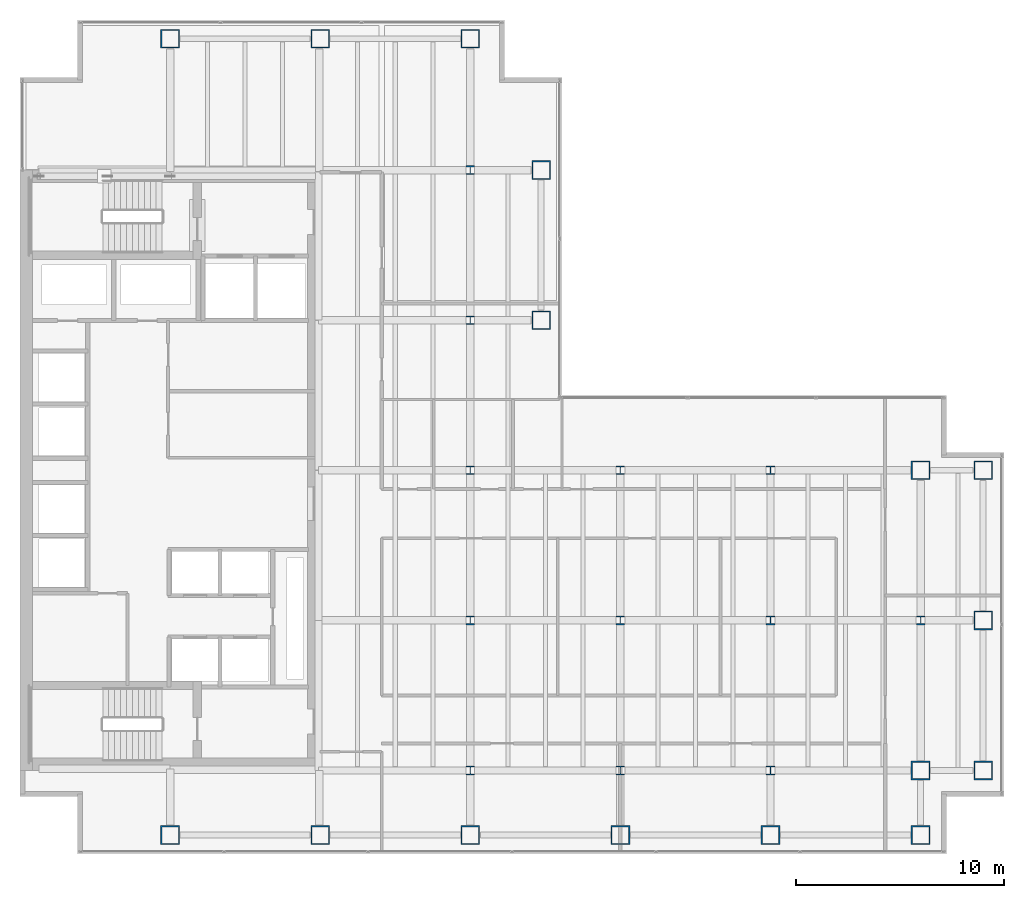
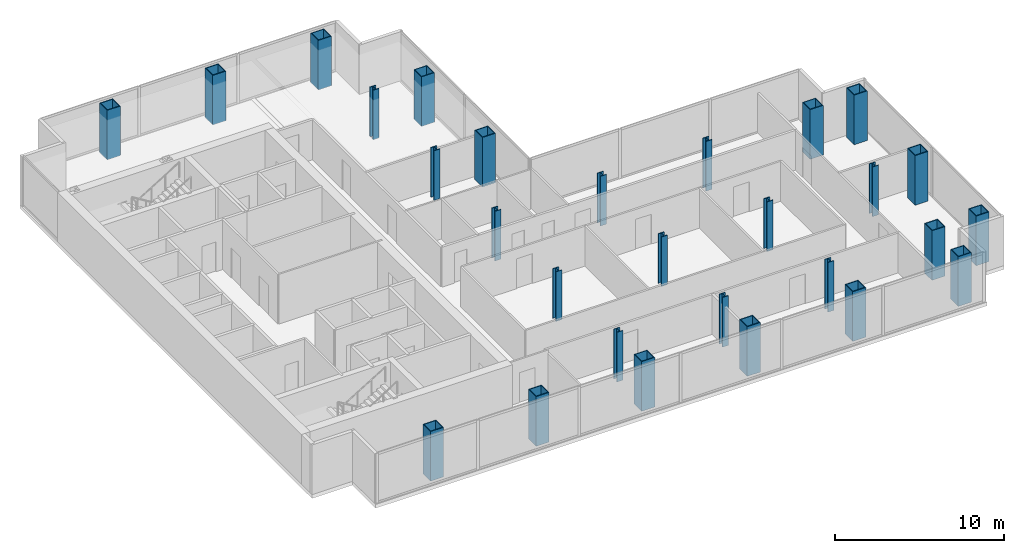
# One storey, part 1 of 23: 28 columns.
"""IFC4 building model written with IfcOpenShell, lengths in metres."""

from ifc_helpers import new_model, si_unit, direction, frame, origin, origin_2d, place, context, subcontext, project, spatial, hollow_rectangle, i_section, extrude, material, material_profile, profile_set, type_object, element, save


model = new_model("IFC4")

# Units and contexts
model_context = context("Model", 3, precision=1e-05, world=origin(), true_north=direction((0.0, 1.0)))
body_context = subcontext(model_context, "Body", "Model", "MODEL_VIEW")
ifc_project = project(units=[si_unit("LENGTHUNIT", "METRE"), si_unit("AREAUNIT", "SQUARE_METRE"), si_unit("VOLUMEUNIT", "CUBIC_METRE"), si_unit("PLANEANGLEUNIT", "RADIAN"), si_unit("MASSUNIT", "GRAM", prefix="KILO")], contexts=[model_context])

# Site, building, storey
site_placement = place(None, origin())
site = spatial("IfcSite", under=ifc_project, at=site_placement, CompositionType="ELEMENT")
building_placement = place(site_placement, origin())
building = spatial("IfcBuilding", under=site, at=building_placement, Name="Cobrela Telecom Tower", CompositionType="ELEMENT")
storey_placement = place(building_placement, frame((0.0, 0.0, 117.60009765625)))
storey = spatial("IfcBuildingStorey", under=building, at=storey_placement, Name="L29", CompositionType="ELEMENT", Elevation=117.60009765625)

# Columns
ifc_material_1 = material(Name="Steel ASTM A992 Grade 50", Category="steel")
ifc_material_profile_1 = material_profile(ifc_material_1, i_section(OverallWidth=0.408935546875, OverallDepth=0.424072265625, WebThickness=0.03271484375, FlangeThickness=0.052490234375, FilletRadius=0.01806640625, at=origin_2d()), Name="W14X283")
ifc_profile_set_1 = profile_set([ifc_material_profile_1], Name="Steel ASTM A992 Grade 50")
column_type_1 = type_object("IfcColumnType", Name="COL-INT-05", PredefinedType="COLUMN", material=ifc_profile_set_1)
for number, where, z_axis, x_axis, name in (
    (1, (21.60009765625, 7.199951171875, 0.0), (0.0, 0.0, 1.0), (1.0, 0.0, 0.0), "L29 Interior Column 06"),
    (2, (21.60009765625, 14.39990234375, 0.0), (0.0, 0.0, 1.0), (1.0, 0.0, 0.0), "L29 Interior Column 07"),
    (3, (21.60009765625, 21.60009765625, 0.0), (0.0, 0.0, 1.0), (1.0, 0.0, 0.0), "L29 Interior Column 08"),
    (4, (21.60009765625, 28.800048828125, 0.0), (0.0, 0.0, 1.0), (1.0, 0.0, 0.0), "L29 Interior Column 09"),
    (5, (21.60009765625, 36.0, 0.0), (0.0, 0.0, 1.0), (1.0, 0.0, 0.0), "L29 Interior Column 10"),
    (6, (28.800048828125, 7.199951171875, 0.0), (0.0, 0.0, 1.0), (1.0, 0.0, 0.0), "L29 Interior Column 15"),
    (7, (28.800048828125, 14.39990234375, 0.0), (0.0, 0.0, 1.0), (1.0, 0.0, 0.0), "L29 Interior Column 16"),
    (8, (28.800048828125, 21.60009765625, 0.0), (0.0, 0.0, 1.0), (1.0, 0.0, 0.0), "L29 Interior Column 17"),
    (9, (36.0, 7.199951171875, 0.0), (0.0, 0.0, 1.0), (1.0, 0.0, 0.0), "L29 Interior Column 19"),
    (10, (36.0, 14.39990234375, 0.0), (0.0, 0.0, 1.0), (1.0, 0.0, 0.0), "L29 Interior Column 20"),
    (11, (36.0, 21.60009765625, 0.0), (0.0, 0.0, 1.0), (1.0, 0.0, 0.0), "L29 Interior Column 21"),
    (12, (43.199951171875, 14.39990234375, 0.0), (0.0, 0.0, 1.0), (1.0, 0.0, 0.0), "L29 Interior Column 24"),
):
    element("IfcColumn", number, at=place(storey_placement, frame(where, z_axis=z_axis, x_axis=x_axis)), inside=storey, type_object=column_type_1, Name=name, PredefinedType="COLUMN", context=body_context, shape_type="SweptSolid", body=[
        extrude(i_section(OverallWidth=0.408935546875, OverallDepth=0.424072265625, WebThickness=0.03271484375, FlangeThickness=0.052490234375, FilletRadius=0.01806640625, at=origin_2d()), origin(), (0.0, 0.0, 1.0), 3.579833984375),
    ])
ifc_material_2 = material(Name="Steel ASTM A572 Grade 50", Category="steel")
ifc_material_profile_2 = material_profile(ifc_material_2, hollow_rectangle(XDim=0.89990234375, YDim=0.89990234375, WallThickness=0.054931640625, at=origin_2d()), Name="BOX 900x900x55")
ifc_profile_set_2 = profile_set([ifc_material_profile_2], Name="Steel ASTM A572 Grade 50")
column_type_2 = type_object("IfcColumnType", Name="COL-MEGA-05", PredefinedType="COLUMN", material=ifc_profile_set_2)
for number, where, z_axis, x_axis, name in (
    (13, (7.199951171875, 4.10009765625, 0.0), (0.0, 0.0, 1.0), (1.0, 0.0, 0.0), "L29 Perimeter Mega-Column 01"),
    (14, (7.199951171875, 42.300048828125, 0.0), (0.0, 0.0, 1.0), (1.0, 0.0, 0.0), "L29 Perimeter Mega-Column 02"),
    (15, (14.39990234375, 4.10009765625, 0.0), (0.0, 0.0, 1.0), (1.0, 0.0, 0.0), "L29 Perimeter Mega-Column 03"),
    (16, (14.39990234375, 42.300048828125, 0.0), (0.0, 0.0, 1.0), (1.0, 0.0, 0.0), "L29 Perimeter Mega-Column 04"),
    (17, (21.60009765625, 4.10009765625, 0.0), (0.0, 0.0, 1.0), (1.0, 0.0, 0.0), "L29 Perimeter Mega-Column 05"),
    (18, (21.60009765625, 42.300048828125, 0.0), (0.0, 0.0, 1.0), (1.0, 0.0, 0.0), "L29 Perimeter Mega-Column 11"),
    (19, (25.0, 28.800048828125, 0.0), (0.0, 0.0, 1.0), (1.0, 0.0, 0.0), "L29 Perimeter Mega-Column 12"),
    (20, (25.0, 36.0, 0.0), (0.0, 0.0, 1.0), (1.0, 0.0, 0.0), "L29 Perimeter Mega-Column 13"),
    (21, (28.800048828125, 4.10009765625, 0.0), (0.0, 0.0, 1.0), (1.0, 0.0, 0.0), "L29 Perimeter Mega-Column 14"),
    (22, (36.0, 4.10009765625, 0.0), (0.0, 0.0, 1.0), (1.0, 0.0, 0.0), "L29 Perimeter Mega-Column 18"),
    (23, (43.199951171875, 4.10009765625, 0.0), (0.0, 0.0, 1.0), (1.0, 0.0, 0.0), "L29 Perimeter Mega-Column 22"),
    (24, (43.199951171875, 7.199951171875, 0.0), (0.0, 0.0, 1.0), (1.0, 0.0, 0.0), "L29 Perimeter Mega-Column 23"),
    (25, (43.199951171875, 21.60009765625, 0.0), (0.0, 0.0, 1.0), (1.0, 0.0, 0.0), "L29 Perimeter Mega-Column 25"),
    (26, (46.199951171875, 7.199951171875, 0.0), (0.0, 0.0, 1.0), (1.0, 0.0, 0.0), "L29 Perimeter Mega-Column 26"),
    (27, (46.199951171875, 14.39990234375, 0.0), (0.0, 0.0, 1.0), (1.0, 0.0, 0.0), "L29 Perimeter Mega-Column 27"),
    (28, (46.199951171875, 21.60009765625, 0.0), (0.0, 0.0, 1.0), (1.0, 0.0, 0.0), "L29 Perimeter Mega-Column 28"),
):
    element("IfcColumn", number, at=place(storey_placement, frame(where, z_axis=z_axis, x_axis=x_axis)), inside=storey, type_object=column_type_2, Name=name, PredefinedType="COLUMN", context=body_context, shape_type="SweptSolid", body=[
        extrude(hollow_rectangle(XDim=0.89990234375, YDim=0.89990234375, WallThickness=0.054931640625, at=origin_2d()), origin(), (0.0, 0.0, 1.0), 3.579833984375),
    ])

save(model, "model.ifc")
